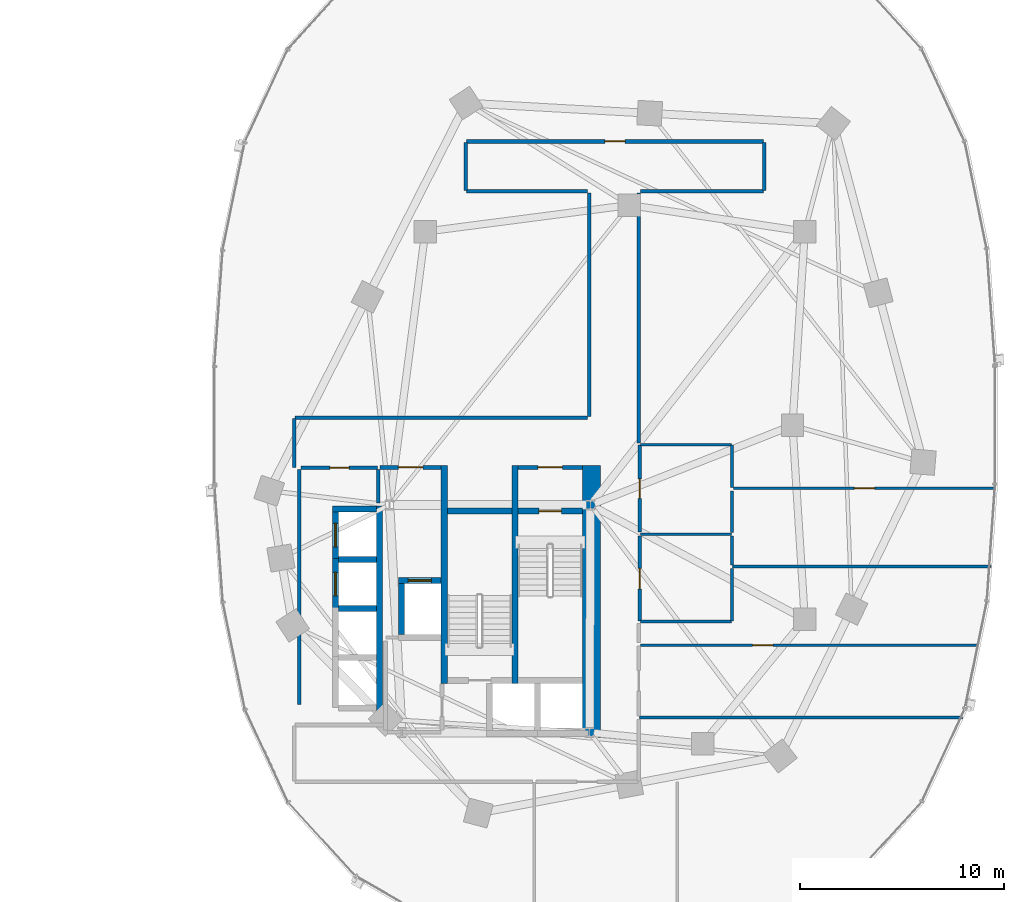
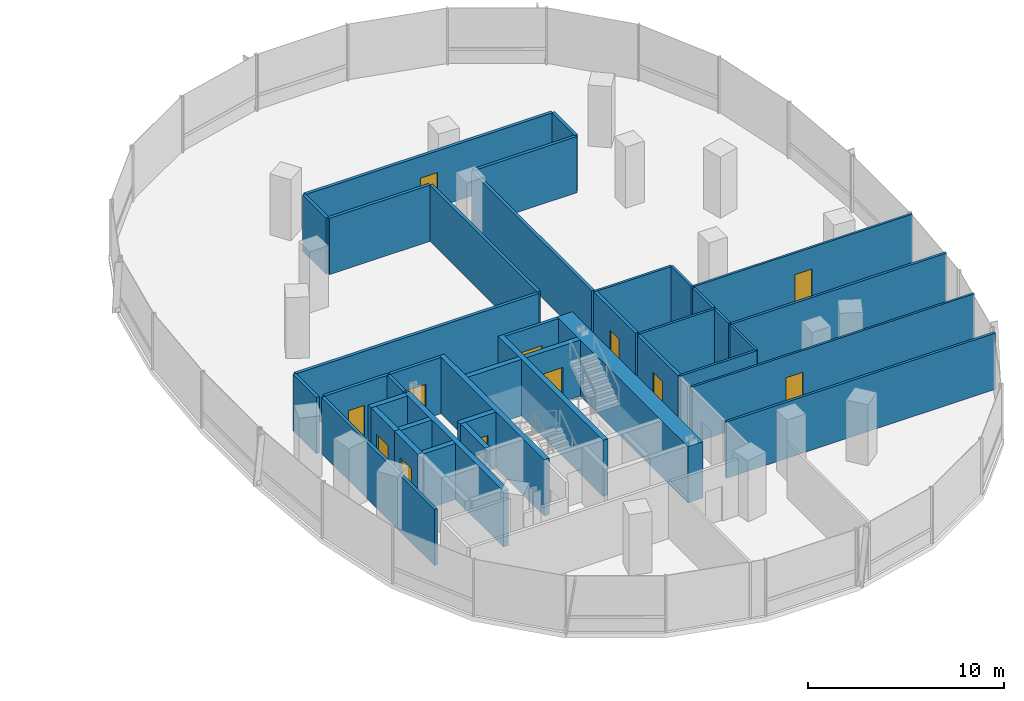
# One storey, part 13 of 21: 40 walls, 12 doors, 12 openings.
"""IFC4 building model written with IfcOpenShell, lengths in metres."""

from ifc_helpers import new_model, si_unit, direction, frame, frame_2d, origin, place, context, subcontext, project, spatial, rectangle, extrude, material, layer, layer_set, type_object, element, fill, save


model = new_model("IFC4")

# Units and contexts
model_context = context("Model", 3, precision=1e-05, world=origin(), true_north=direction((0.0, 1.0)))
body_context = subcontext(model_context, "Body", "Model", "MODEL_VIEW")
ifc_project = project(units=[si_unit("LENGTHUNIT", "METRE"), si_unit("AREAUNIT", "SQUARE_METRE"), si_unit("VOLUMEUNIT", "CUBIC_METRE"), si_unit("PLANEANGLEUNIT", "RADIAN"), si_unit("MASSUNIT", "GRAM", prefix="KILO"), si_unit("THERMODYNAMICTEMPERATUREUNIT", "KELVIN"), si_unit("POWERUNIT", "WATT")], contexts=[model_context])

# Site, building, storey
site_placement = place(None, origin())
site = spatial("IfcSite", under=ifc_project, at=site_placement, CompositionType="ELEMENT")
building_placement = place(site_placement, origin())
building = spatial("IfcBuilding", under=site, at=building_placement, Name="Cundina Bronze Exchange", CompositionType="ELEMENT")
storey_placement = place(building_placement, frame((0.0, 0.0, 31.60009765625)))
storey = spatial("IfcBuildingStorey", under=building, at=storey_placement, Name="L07", CompositionType="ELEMENT", Elevation=31.60009765625)

# Wall
ifc_material_1 = material(Name="Gypsum Fireboard Partition EI120")
ifc_layer_1 = layer(ifc_material_1, 0.179931640625, Name="Gypsum Fireboard Partition EI120")
ifc_layer_set_1 = layer_set([ifc_layer_1], Name="Gypsum Fireboard Partition EI120")
wall_type_1 = type_object("IfcWallType", Name="WL-COR-180", PredefinedType="PARTITIONING", material=ifc_layer_set_1)
wall_1_placement = place(storey_placement, frame((20.889892578125, -3.800048828125, 0.0), z_axis=(0.0, 0.0, 1.0), x_axis=(0.0, 1.0, 0.0)))
element("IfcWall", 1, at=wall_1_placement, inside=storey, type_object=wall_type_1, Name="L07 E Firefighting Lobby Side Wall", PredefinedType="PARTITIONING", context=body_context, shape_type="SweptSolid", body=[
    extrude(rectangle(XDim=1.650146484375, YDim=0.179931640625, at=frame_2d((0.8251953125, 0.0))), origin(), (0.0, 0.0, 1.0), 3.5),
])

# Wall, opening, door
wall_2_placement = place(storey_placement, frame((20.97998046875, -2.06005859375, 0.0), z_axis=(0.0, 0.0, 1.0), x_axis=(1.0, 0.0, 0.0)))
wall_2 = element("IfcWall", 2, at=wall_2_placement, inside=storey, type_object=wall_type_1, Name="L07 E Firefighting Lobby Exit Wall", PredefinedType="PARTITIONING", context=body_context, shape_type="SweptSolid", body=[
    extrude(rectangle(XDim=3.0, YDim=0.179931640625, at=frame_2d((1.5, 0.0))), origin(), (0.0, 0.0, 1.0), 3.5),
])
opening_1_placement = place(wall_2_placement, frame((0.89990234375, 0.0, 0.0)))
opening_1 = element("IfcOpeningElement", 3, at=opening_1_placement, cuts=wall_2, Name="Opening DF-01", PredefinedType="OPENING", context=body_context, shape_type="SweptSolid", body=[
    extrude(rectangle(XDim=1.199951171875, YDim=2.14990234375, at=frame_2d((0.60009765625, 1.074951171875))), frame((0.0, 0.099853515625, 0.0), z_axis=(0.0, -1.0, 0.0), x_axis=(1.0, 0.0, 0.0)), (0.0, 0.0, 1.0), 0.199951171875),
])
ifc_material_2 = material(Name="Steel ASTM A36 Painted", Category="steel")
door_type_1 = type_object("IfcDoorType", Name="DR-FFL-1200", OperationType="NOTDEFINED", PredefinedType="DOOR", material=ifc_material_2)
door_1_placement = place(opening_1_placement, origin())
door_1 = element("IfcDoor", 4, at=door_1_placement, inside=storey, type_object=door_type_1, Name="L07 E Firefighting Lobby Door", OperationType="SINGLE_SWING_LEFT", OverallHeight=2.14990234375, OverallWidth=1.199951171875, PredefinedType="DOOR", context=body_context, shape_type="SweptSolid", body=[
    extrude(rectangle(XDim=1.199951171875, YDim=2.14990234375, at=frame_2d((0.60009765625, 1.074951171875))), frame((0.0, 0.02490234375, 0.0), z_axis=(0.0, -1.0, 0.0), x_axis=(1.0, 0.0, 0.0)), (0.0, 0.0, 1.0), 0.050048828125),
])
fill(opening_1, door_1)

wall_3_placement = place(storey_placement, frame((27.739990234375, -2.06005859375, 0.0), z_axis=(0.0, 0.0, 1.0), x_axis=(1.0, 0.0, 0.0)))
wall_3 = element("IfcWall", 5, at=wall_3_placement, inside=storey, type_object=wall_type_1, Name="L07 E Stair Vestibule Exit Wall", PredefinedType="PARTITIONING", context=body_context, shape_type="SweptSolid", body=[
    extrude(rectangle(XDim=3.159912109375, YDim=0.179931640625, at=frame_2d((1.580078125, 0.0))), origin(), (0.0, 0.0, 1.0), 3.5),
])
opening_2_placement = place(wall_3_placement, frame((0.97998046875, 0.0, 0.0)))
opening_2 = element("IfcOpeningElement", 6, at=opening_2_placement, cuts=wall_3, Name="Opening DF-01", PredefinedType="OPENING", context=body_context, shape_type="SweptSolid", body=[
    extrude(rectangle(XDim=1.199951171875, YDim=2.14990234375, at=frame_2d((0.60009765625, 1.074951171875))), frame((0.0, 0.099853515625, 0.0), z_axis=(0.0, -1.0, 0.0), x_axis=(1.0, 0.0, 0.0)), (0.0, 0.0, 1.0), 0.199951171875),
])
door_2_placement = place(opening_2_placement, origin())
door_2 = element("IfcDoor", 7, at=door_2_placement, inside=storey, type_object=door_type_1, Name="L07 E Stair Vestibule Door", OperationType="SINGLE_SWING_RIGHT", OverallHeight=2.14990234375, OverallWidth=1.199951171875, PredefinedType="DOOR", context=body_context, shape_type="SweptSolid", body=[
    extrude(rectangle(XDim=1.199951171875, YDim=2.14990234375, at=frame_2d((0.60009765625, 1.074951171875))), frame((0.0, 0.02490234375, 0.0), z_axis=(0.0, -1.0, 0.0), x_axis=(1.0, 0.0, 0.0)), (0.0, 0.0, 1.0), 0.050048828125),
])
fill(opening_2, door_2)

# Wall
wall_4_placement = place(storey_placement, frame((17.02001953125, -13.679931640625, 0.0), z_axis=(0.0, 0.0, 1.0), x_axis=(0.0, 1.0, 0.0)))
element("IfcWall", 8, at=wall_4_placement, inside=storey, type_object=wall_type_1, Name="L07 Interior Partition 038", PredefinedType="PARTITIONING", context=body_context, shape_type="SweptSolid", body=[
    extrude(rectangle(XDim=11.510009765625, YDim=0.179931640625, at=frame_2d((5.7548828125, 0.0))), origin(), (0.0, 0.0, 1.0), 3.5),
])

# Wall, opening, door
wall_5_placement = place(storey_placement, frame((17.1201171875, -2.070068359375, 0.0), z_axis=(0.0, 0.0, 1.0), x_axis=(1.0, 0.0, 0.0)))
wall_5 = element("IfcWall", 9, at=wall_5_placement, inside=storey, type_object=wall_type_1, Name="L07 Interior Partition 039", PredefinedType="PARTITIONING", context=body_context, shape_type="SweptSolid", body=[
    extrude(rectangle(XDim=3.75, YDim=0.179931640625, at=frame_2d((1.875, 0.0))), origin(), (0.0, 0.0, 1.0), 3.5),
])
opening_3_placement = place(wall_5_placement, frame((1.39990234375, 0.0, 0.0)))
opening_3 = element("IfcOpeningElement", 10, at=opening_3_placement, cuts=wall_5, Name="Opening DW-01", PredefinedType="OPENING", context=body_context, shape_type="SweptSolid", body=[
    extrude(rectangle(XDim=0.949951171875, YDim=2.10009765625, at=frame_2d((0.47509765625, 1.050048828125))), frame((0.0, 0.099853515625, 0.0), z_axis=(0.0, -1.0, 0.0), x_axis=(1.0, 0.0, 0.0)), (0.0, 0.0, 1.0), 0.199951171875),
])
ifc_material_3 = material(Name="Solid Andean Oak Timber Grade A", Category="wood")
door_type_2 = type_object("IfcDoorType", Name="DR-WC-950", OperationType="NOTDEFINED", PredefinedType="DOOR", material=ifc_material_3)
door_3_placement = place(opening_3_placement, origin())
door_3 = element("IfcDoor", 11, at=door_3_placement, inside=storey, type_object=door_type_2, Name="L07 Interior Door 039", OperationType="SINGLE_SWING_RIGHT", OverallHeight=2.10009765625, OverallWidth=0.949951171875, PredefinedType="DOOR", context=body_context, shape_type="SweptSolid", body=[
    extrude(rectangle(XDim=0.949951171875, YDim=2.10009765625, at=frame_2d((0.47509765625, 1.050048828125))), frame((0.0, 0.02490234375, 0.0), z_axis=(0.0, -1.0, 0.0), x_axis=(1.0, 0.0, 0.0)), (0.0, 0.0, 1.0), 0.050048828125),
])
fill(opening_3, door_3)

wall_6_placement = place(storey_placement, frame((33.719970703125, -5.22998046875, 0.0), z_axis=(0.0, 0.0, 1.0), x_axis=(0.0, 1.0, 0.0)))
wall_6 = element("IfcWall", 12, at=wall_6_placement, inside=storey, type_object=wall_type_1, Name="L07 Interior Partition 051", PredefinedType="PARTITIONING", context=body_context, shape_type="SweptSolid", body=[
    extrude(rectangle(XDim=4.260009765625, YDim=0.179931640625, at=frame_2d((2.1298828125, 0.0))), origin(), (0.0, 0.0, 1.0), 3.5),
])
opening_4_placement = place(wall_6_placement, frame((1.655029296875, 0.0, 0.0)))
opening_4 = element("IfcOpeningElement", 13, at=opening_4_placement, cuts=wall_6, Name="Opening DW-01", PredefinedType="OPENING", context=body_context, shape_type="SweptSolid", body=[
    extrude(rectangle(XDim=0.949951171875, YDim=2.10009765625, at=frame_2d((0.47509765625, 1.050048828125))), frame((0.0, 0.099853515625, 0.0), z_axis=(0.0, -1.0, 0.0), x_axis=(1.0, 0.0, 0.0)), (0.0, 0.0, 1.0), 0.199951171875),
])
door_4_placement = place(opening_4_placement, origin())
door_4 = element("IfcDoor", 14, at=door_4_placement, inside=storey, type_object=door_type_2, Name="L07 Interior Door 051", OperationType="SINGLE_SWING_RIGHT", OverallHeight=2.10009765625, OverallWidth=0.949951171875, PredefinedType="DOOR", context=body_context, shape_type="SweptSolid", body=[
    extrude(rectangle(XDim=0.949951171875, YDim=2.10009765625, at=frame_2d((0.47509765625, 1.050048828125))), frame((0.0, 0.02490234375, 0.0), z_axis=(0.0, -1.0, 0.0), x_axis=(1.0, 0.0, 0.0)), (0.0, 0.0, 1.0), 0.050048828125),
])
fill(opening_4, door_4)

wall_7_placement = place(storey_placement, frame((33.719970703125, -9.590087890625, 0.0), z_axis=(0.0, 0.0, 1.0), x_axis=(0.0, 1.0, 0.0)))
wall_7 = element("IfcWall", 15, at=wall_7_placement, inside=storey, type_object=wall_type_1, Name="L07 Interior Partition 052", PredefinedType="PARTITIONING", context=body_context, shape_type="SweptSolid", body=[
    extrude(rectangle(XDim=4.16015625, YDim=0.179931640625, at=frame_2d((2.080078125, 0.0))), origin(), (0.0, 0.0, 1.0), 3.5),
])
opening_5_placement = place(wall_7_placement, frame((1.580078125, 0.0, 0.0)))
opening_5 = element("IfcOpeningElement", 16, at=opening_5_placement, cuts=wall_7, Name="Opening DO-01", PredefinedType="OPENING", context=body_context, shape_type="SweptSolid", body=[
    extrude(rectangle(XDim=1.0, YDim=2.14990234375, at=frame_2d((0.5, 1.074951171875))), frame((0.0, 0.099853515625, 0.0), z_axis=(0.0, -1.0, 0.0), x_axis=(1.0, 0.0, 0.0)), (0.0, 0.0, 1.0), 0.199951171875),
])
door_type_3 = type_object("IfcDoorType", Name="DR-OFF-1000", OperationType="NOTDEFINED", PredefinedType="DOOR", material=ifc_material_3)
door_5_placement = place(opening_5_placement, origin())
door_5 = element("IfcDoor", 17, at=door_5_placement, inside=storey, type_object=door_type_3, Name="L07 Interior Door 052", OperationType="SINGLE_SWING_RIGHT", OverallHeight=2.14990234375, OverallWidth=1.0, PredefinedType="DOOR", context=body_context, shape_type="SweptSolid", body=[
    extrude(rectangle(XDim=1.0, YDim=2.14990234375, at=frame_2d((0.5, 1.074951171875))), frame((0.0, 0.02490234375, 0.0), z_axis=(0.0, -1.0, 0.0), x_axis=(1.0, 0.0, 0.0)), (0.0, 0.0, 1.0), 0.050048828125),
])
fill(opening_5, door_5)

wall_8_placement = place(storey_placement, frame((39.778564453125, 13.919921875, 0.0), z_axis=(0.0, 0.0, 1.0), x_axis=(-1.0, 0.0, 0.0)))
wall_8 = element("IfcWall", 18, at=wall_8_placement, inside=storey, type_object=wall_type_1, Name="L07 Interior Partition 061", PredefinedType="PARTITIONING", context=body_context, shape_type="SweptSolid", body=[
    extrude(rectangle(XDim=14.55712890625, YDim=0.179931640625, at=frame_2d((7.278564453125, 0.0))), origin(), (0.0, 0.0, 1.0), 3.5),
])
opening_6_placement = place(wall_8_placement, frame((6.778564453125, 0.0, 0.0)))
opening_6 = element("IfcOpeningElement", 19, at=opening_6_placement, cuts=wall_8, Name="Opening DO-01", PredefinedType="OPENING", context=body_context, shape_type="SweptSolid", body=[
    extrude(rectangle(XDim=1.0, YDim=2.14990234375, at=frame_2d((0.5, 1.074951171875))), frame((0.0, 0.099853515625, 0.0), z_axis=(0.0, -1.0, 0.0), x_axis=(1.0, 0.0, 0.0)), (0.0, 0.0, 1.0), 0.199951171875),
])
door_6_placement = place(opening_6_placement, origin())
door_6 = element("IfcDoor", 20, at=door_6_placement, inside=storey, type_object=door_type_3, Name="L07 Interior Door 061", OperationType="SINGLE_SWING_LEFT", OverallHeight=2.14990234375, OverallWidth=1.0, PredefinedType="DOOR", context=body_context, shape_type="SweptSolid", body=[
    extrude(rectangle(XDim=1.0, YDim=2.14990234375, at=frame_2d((0.5, 1.074951171875))), frame((0.0, 0.02490234375, 0.0), z_axis=(0.0, -1.0, 0.0), x_axis=(1.0, 0.0, 0.0)), (0.0, 0.0, 1.0), 0.050048828125),
])
fill(opening_6, door_6)

# Walls
wall_9_placement = place(storey_placement, frame((31.14990234375, 0.3701171875, 0.0), z_axis=(0.0, 0.0, 1.0), x_axis=(-1.0, 0.0, 0.0)))
element("IfcWall", 21, at=wall_9_placement, inside=storey, type_object=wall_type_1, Name="L07 Interior Partition 062", PredefinedType="PARTITIONING", context=body_context, shape_type="SweptSolid", body=[
    extrude(rectangle(XDim=14.328369140625, YDim=0.179931640625, at=frame_2d((7.1640625, 0.0))), origin(), (0.0, 0.0, 1.0), 3.5),
])
wall_10_placement = place(storey_placement, frame((33.669921875, -0.858642578125, 0.0), z_axis=(0.0, 0.0, 1.0), x_axis=(0.0, 1.0, 0.0)))
element("IfcWall", 22, at=wall_10_placement, inside=storey, type_object=wall_type_1, Name="L07 Interior Partition 063", PredefinedType="PARTITIONING", context=body_context, shape_type="SweptSolid", body=[
    extrude(rectangle(XDim=12.258544921875, YDim=0.179931640625, at=frame_2d((6.12939453125, 0.0))), origin(), (0.0, 0.0, 1.0), 3.5),
])
wall_11_placement = place(storey_placement, frame((31.22998046875, 11.39990234375, 0.0), z_axis=(0.0, 0.0, 1.0), x_axis=(0.0, -1.0, 0.0)))
element("IfcWall", 23, at=wall_11_placement, inside=storey, type_object=wall_type_1, Name="L07 Interior Partition 065", PredefinedType="PARTITIONING", context=body_context, shape_type="SweptSolid", body=[
    extrude(rectangle(XDim=10.949951171875, YDim=0.179931640625, at=frame_2d((5.47509765625, 0.0))), origin(), (0.0, 0.0, 1.0), 3.5),
])
wall_12_placement = place(storey_placement, frame((33.75, 11.47998046875, 0.0), z_axis=(0.0, 0.0, 1.0), x_axis=(1.0, 0.0, 0.0)))
element("IfcWall", 24, at=wall_12_placement, inside=storey, type_object=wall_type_1, Name="L07 Interior Partition 066", PredefinedType="PARTITIONING", context=body_context, shape_type="SweptSolid", body=[
    extrude(rectangle(XDim=6.028564453125, YDim=0.179931640625, at=frame_2d((3.01416015625, 0.0))), origin(), (0.0, 0.0, 1.0), 3.5),
])
wall_13_placement = place(storey_placement, frame((25.221435546875, 11.47998046875, 0.0), z_axis=(0.0, 0.0, 1.0), x_axis=(1.0, 0.0, 0.0)))
element("IfcWall", 25, at=wall_13_placement, inside=storey, type_object=wall_type_1, Name="L07 Interior Partition 067", PredefinedType="PARTITIONING", context=body_context, shape_type="SweptSolid", body=[
    extrude(rectangle(XDim=5.928466796875, YDim=0.179931640625, at=frame_2d((2.96435546875, 0.0))), origin(), (0.0, 0.0, 1.0), 3.5),
])
wall_14_placement = place(storey_placement, frame((16.780029296875, 0.32861328125, 0.0), z_axis=(0.0, 0.0, 1.0), x_axis=(0.0, -1.0, 0.0)))
element("IfcWall", 26, at=wall_14_placement, inside=storey, type_object=wall_type_1, Name="L07 Interior Partition 070", PredefinedType="PARTITIONING", context=body_context, shape_type="SweptSolid", body=[
    extrude(rectangle(XDim=2.38720703125, YDim=0.179931640625, at=frame_2d((1.193603515625, 0.0))), origin(), (0.0, 0.0, 1.0), 3.5),
])
for number, where, z_axis, x_axis, name in (
    (27, (39.820068359375, 11.521484375, 0.0), (0.0, 0.0, 1.0), (0.0, 1.0, 0.0), "L07 Interior Partition 071"),
    (28, (25.179931640625, 13.87841796875, 0.0), (0.0, 0.0, 1.0), (0.0, -1.0, 0.0), "L07 Interior Partition 072"),
):
    element("IfcWall", number, at=place(storey_placement, frame(where, z_axis=z_axis, x_axis=x_axis)), inside=storey, type_object=wall_type_1, Name=name, PredefinedType="PARTITIONING", context=body_context, shape_type="SweptSolid", body=[
        extrude(rectangle(XDim=2.35693359375, YDim=0.179931640625, at=frame_2d((1.178466796875, 0.0))), origin(), (0.0, 0.0, 1.0), 3.5),
    ])
ifc_material_4 = material(Name="Concrete C60/75", Category="concrete")
ifc_layer_2 = layer(ifc_material_4, 0.89990234375, Name="Concrete C60/75", Category="concrete")
ifc_layer_set_2 = layer_set([ifc_layer_2], Name="Concrete C60/75")
wall_type_2 = type_object("IfcWallType", Name="WL-CORE-900", PredefinedType="SHEAR", material=ifc_layer_set_2)
wall_15_placement = place(storey_placement, frame((31.35009765625, -15.300048828125, 0.0), z_axis=(0.0, 0.0, 1.0), x_axis=(0.0, 1.0, 0.0)))
element("IfcWall", 29, at=wall_15_placement, inside=storey, type_object=wall_type_2, Name="L07 E Primary Core Shear Spine Wall", PredefinedType="SHEAR", context=body_context, shape_type="SweptSolid", body=[
    extrude(rectangle(XDim=13.330078125, YDim=0.89990234375, at=frame_2d((6.6650390625, 0.0))), origin(), (0.0, 0.0, 1.0), 3.5),
])

# Wall, opening, door
ifc_material_5 = material(Name="Gypsum Acoustic Partition EI60")
ifc_layer_3 = layer(ifc_material_5, 0.125, Name="Gypsum Acoustic Partition EI60")
ifc_layer_set_3 = layer_set([ifc_layer_3], Name="Gypsum Acoustic Partition EI60")
wall_type_3 = type_object("IfcWallType", Name="WL-OFF-125", PredefinedType="PARTITIONING", material=ifc_layer_set_3)
wall_16_placement = place(storey_placement, frame((50.3427734375, -10.77001953125, 0.0), z_axis=(0.0, 0.0, 1.0), x_axis=(-1.0, 0.0, 0.0)))
wall_16 = element("IfcWall", 30, at=wall_16_placement, inside=storey, type_object=wall_type_3, Name="L07 Interior Partition 073", PredefinedType="PARTITIONING", context=body_context, shape_type="SweptSolid", body=[
    extrude(rectangle(XDim=16.5927734375, YDim=0.125, at=frame_2d((8.29638671875, 0.0))), origin(), (0.0, 0.0, 1.0), 3.5),
])
opening_7_placement = place(wall_16_placement, frame((10.099365234375, 0.0, 0.0)))
opening_7 = element("IfcOpeningElement", 31, at=opening_7_placement, cuts=wall_16, Name="Opening DO-01", PredefinedType="OPENING", context=body_context, shape_type="SweptSolid", body=[
    extrude(rectangle(XDim=1.0, YDim=2.14990234375, at=frame_2d((0.5, 1.074951171875))), frame((0.0, 0.072509765625, 0.0), z_axis=(0.0, -1.0, 0.0), x_axis=(1.0, 0.0, 0.0)), (0.0, 0.0, 1.0), 0.14501953125),
])
door_7_placement = place(opening_7_placement, origin())
door_7 = element("IfcDoor", 32, at=door_7_placement, inside=storey, type_object=door_type_3, Name="L07 Interior Door 073", OperationType="SINGLE_SWING_RIGHT", OverallHeight=2.14990234375, OverallWidth=1.0, PredefinedType="DOOR", context=body_context, shape_type="SweptSolid", body=[
    extrude(rectangle(XDim=1.0, YDim=2.14990234375, at=frame_2d((0.5, 1.074951171875))), frame((0.0, 0.02490234375, 0.0), z_axis=(0.0, -1.0, 0.0), x_axis=(1.0, 0.0, 0.0)), (0.0, 0.0, 1.0), 0.050048828125),
])
fill(opening_7, door_7)

wall_17_placement = place(storey_placement, frame((38.320068359375, -3.070068359375, 0.0), z_axis=(0.0, 0.0, 1.0), x_axis=(1.0, 0.0, 0.0)))
wall_17 = element("IfcWall", 33, at=wall_17_placement, inside=storey, type_object=wall_type_3, Name="L07 Interior Partition 074", PredefinedType="PARTITIONING", context=body_context, shape_type="SweptSolid", body=[
    extrude(rectangle(XDim=12.819580078125, YDim=0.125, at=frame_2d((6.40966796875, 0.0))), origin(), (0.0, 0.0, 1.0), 3.5),
])
opening_8_placement = place(wall_17_placement, frame((5.909912109375, 0.0, 0.0)))
opening_8 = element("IfcOpeningElement", 34, at=opening_8_placement, cuts=wall_17, Name="Opening DO-01", PredefinedType="OPENING", context=body_context, shape_type="SweptSolid", body=[
    extrude(rectangle(XDim=1.0, YDim=2.14990234375, at=frame_2d((0.5, 1.074951171875))), frame((0.0, 0.072509765625, 0.0), z_axis=(0.0, -1.0, 0.0), x_axis=(1.0, 0.0, 0.0)), (0.0, 0.0, 1.0), 0.14501953125),
])
door_8_placement = place(opening_8_placement, origin())
door_8 = element("IfcDoor", 35, at=door_8_placement, inside=storey, type_object=door_type_3, Name="L07 Interior Door 074", OperationType="SINGLE_SWING_LEFT", OverallHeight=2.14990234375, OverallWidth=1.0, PredefinedType="DOOR", context=body_context, shape_type="SweptSolid", body=[
    extrude(rectangle(XDim=1.0, YDim=2.14990234375, at=frame_2d((0.5, 1.074951171875))), frame((0.0, 0.02490234375, 0.0), z_axis=(0.0, -1.0, 0.0), x_axis=(1.0, 0.0, 0.0)), (0.0, 0.0, 1.0), 0.050048828125),
])
fill(opening_8, door_8)

# Walls
ifc_material_6 = material(Name="Concrete C50/60", Category="concrete")
ifc_layer_4 = layer(ifc_material_6, 0.300048828125, Name="Concrete C50/60", Category="concrete")
ifc_layer_set_4 = layer_set([ifc_layer_4], Name="Concrete C50/60")
wall_type_4 = type_object("IfcWallType", Name="WL-SHFT-300", PredefinedType="SHEAR", material=ifc_layer_set_4)
for number, where, z_axis, x_axis, name in (
    (36, (27.590087890625, -12.64990234375, 0.0), (0.0, 0.0, 1.0), (0.0, 1.0, 0.0), "L07 E Stair Shaft Dividing Shear Wall"),
    (37, (24.1298828125, -12.64990234375, 0.0), (0.0, 0.0, 1.0), (0.0, 1.0, 0.0), "L07 E Stair 2 East Shear Wall"),
):
    element("IfcWall", number, at=place(storey_placement, frame(where, z_axis=z_axis, x_axis=x_axis)), inside=storey, type_object=wall_type_4, Name=name, PredefinedType="SHEAR", context=body_context, shape_type="SweptSolid", body=[
        extrude(rectangle(XDim=10.679931640625, YDim=0.300048828125, at=frame_2d((5.33984375, 0.0))), origin(), (0.0, 0.0, 1.0), 3.5),
    ])

# Wall, opening, door
wall_18_placement = place(storey_placement, frame((27.739990234375, -4.199951171875, 0.0), z_axis=(0.0, 0.0, 1.0), x_axis=(1.0, 0.0, 0.0)))
wall_18 = element("IfcWall", 38, at=wall_18_placement, inside=storey, type_object=wall_type_4, Name="L07 Stair E1 Landing Wall", PredefinedType="SHEAR", context=body_context, shape_type="SweptSolid", body=[
    extrude(rectangle(XDim=3.159912109375, YDim=0.300048828125, at=frame_2d((1.580078125, 0.0))), origin(), (0.0, 0.0, 1.0), 3.5),
])
opening_9_placement = place(wall_18_placement, frame((1.030029296875, 0.0, 0.0)))
opening_9 = element("IfcOpeningElement", 39, at=opening_9_placement, cuts=wall_18, Name="Opening DS-01", PredefinedType="OPENING", context=body_context, shape_type="SweptSolid", body=[
    extrude(rectangle(XDim=1.10009765625, YDim=2.14990234375, at=frame_2d((0.550048828125, 1.074951171875))), frame((0.0, 0.159912109375, 0.0), z_axis=(0.0, -1.0, 0.0), x_axis=(1.0, 0.0, 0.0)), (0.0, 0.0, 1.0), 0.320068359375),
])
door_type_4 = type_object("IfcDoorType", Name="DR-STR-1100", OperationType="NOTDEFINED", PredefinedType="DOOR", material=ifc_material_2)
door_9_placement = place(opening_9_placement, origin())
door_9 = element("IfcDoor", 40, at=door_9_placement, inside=storey, type_object=door_type_4, Name="L07 Smokeproof Stair E1 Door", OperationType="SINGLE_SWING_LEFT", OverallHeight=2.14990234375, OverallWidth=1.10009765625, PredefinedType="DOOR", context=body_context, shape_type="SweptSolid", body=[
    extrude(rectangle(XDim=1.10009765625, YDim=2.14990234375, at=frame_2d((0.550048828125, 1.074951171875))), frame((0.0, 0.02490234375, 0.0), z_axis=(0.0, -1.0, 0.0), x_axis=(1.0, 0.0, 0.0)), (0.0, 0.0, 1.0), 0.050048828125),
])
fill(opening_9, door_9)

# Wall
wall_19_placement = place(storey_placement, frame((24.280029296875, -4.199951171875, 0.0), z_axis=(0.0, 0.0, 1.0), x_axis=(1.0, 0.0, 0.0)))
element("IfcWall", 41, at=wall_19_placement, inside=storey, type_object=wall_type_4, Name="L07 Stair E2 Far Shaft Wall", PredefinedType="SHEAR", context=body_context, shape_type="SweptSolid", body=[
    extrude(rectangle(XDim=3.159912109375, YDim=0.300048828125, at=frame_2d((1.580078125, 0.0))), origin(), (0.0, 0.0, 1.0), 3.5),
])

# Wall, opening, door
wall_20_placement = place(storey_placement, frame((21.8798828125, -7.60009765625, 0.0), z_axis=(0.0, 0.0, 1.0), x_axis=(1.0, 0.0, 0.0)))
wall_20 = element("IfcWall", 42, at=wall_20_placement, inside=storey, type_object=wall_type_4, Name="L07 FFL-E Hoistway Front Wall", PredefinedType="SHEAR", context=body_context, shape_type="SweptSolid", body=[
    extrude(rectangle(XDim=2.10009765625, YDim=0.300048828125, at=frame_2d((1.050048828125, 0.0))), origin(), (0.0, 0.0, 1.0), 3.5),
])
opening_10_placement = place(wall_20_placement, frame((0.47509765625, 0.0, 0.0)))
opening_10 = element("IfcOpeningElement", 43, at=opening_10_placement, cuts=wall_20, Name="Opening LD-01", PredefinedType="OPENING", context=body_context, shape_type="SweptSolid", body=[
    extrude(rectangle(XDim=1.14990234375, YDim=2.199951171875, at=frame_2d((0.574951171875, 1.10009765625))), frame((0.0, 0.159912109375, 0.0), z_axis=(0.0, -1.0, 0.0), x_axis=(1.0, 0.0, 0.0)), (0.0, 0.0, 1.0), 0.320068359375),
])
door_type_5 = type_object("IfcDoorType", Name="DR-LND-1150", OperationType="NOTDEFINED", PredefinedType="TRAPDOOR", material=ifc_material_2)
door_10_placement = place(opening_10_placement, origin())
door_10 = element("IfcDoor", 44, at=door_10_placement, inside=storey, type_object=door_type_5, Name="L07 FFL-E Sliding Landing Door", OperationType="SLIDING_TO_LEFT", OverallHeight=2.199951171875, OverallWidth=1.14990234375, PredefinedType="TRAPDOOR", context=body_context, shape_type="SweptSolid", body=[
    extrude(rectangle(XDim=1.14990234375, YDim=2.199951171875, at=frame_2d((0.574951171875, 1.10009765625))), frame((0.0, 0.02490234375, 0.0), z_axis=(0.0, -1.0, 0.0), x_axis=(1.0, 0.0, 0.0)), (0.0, 0.0, 1.0), 0.050048828125),
])
fill(opening_10, door_10)

# Walls
wall_21_placement = place(storey_placement, frame((22.030029296875, -10.25, 0.0), z_axis=(0.0, 0.0, 1.0), x_axis=(0.0, 1.0, 0.0)))
element("IfcWall", 45, at=wall_21_placement, inside=storey, type_object=wall_type_4, Name="L07 FFL-E Hoistway Side Wall", PredefinedType="SHEAR", context=body_context, shape_type="SweptSolid", body=[
    extrude(rectangle(XDim=2.5, YDim=0.300048828125, at=frame_2d((1.25, 0.0))), origin(), (0.0, 0.0, 1.0), 3.5),
])
wall_22_placement = place(storey_placement, frame((20.949951171875, -14.0, 0.0), z_axis=(0.0, 0.0, 1.0), x_axis=(0.0, 1.0, 0.0)))
element("IfcWall", 46, at=wall_22_placement, inside=storey, type_object=wall_type_4, Name="L07 E Passenger Bank Hoistway Back Wall", PredefinedType="SHEAR", context=body_context, shape_type="SweptSolid", body=[
    extrude(rectangle(XDim=10.050048828125, YDim=0.300048828125, at=frame_2d((5.02490234375, 0.0))), origin(), (0.0, 0.0, 1.0), 3.5),
])
wall_23_placement = place(storey_placement, frame((18.64990234375, -4.10009765625, 0.0), z_axis=(0.0, 0.0, 1.0), x_axis=(1.0, 0.0, 0.0)))
element("IfcWall", 47, at=wall_23_placement, inside=storey, type_object=wall_type_4, Name="L07 E Passenger Bank North Cap Wall", PredefinedType="SHEAR", context=body_context, shape_type="SweptSolid", body=[
    extrude(rectangle(XDim=2.150146484375, YDim=0.300048828125, at=frame_2d((1.0751953125, 0.0))), origin(), (0.0, 0.0, 1.0), 3.5),
])
for number, where, z_axis, x_axis, name in (
    (48, (18.949951171875, -8.97509765625, 0.0), (0.0, 0.0, 1.0), (1.0, 0.0, 0.0), "L07 E Passenger Hoistway Divider 2"),
    (49, (18.949951171875, -6.574951171875, 0.0), (0.0, 0.0, 1.0), (1.0, 0.0, 0.0), "L07 E Passenger Hoistway Divider 3"),
):
    element("IfcWall", number, at=place(storey_placement, frame(where, z_axis=z_axis, x_axis=x_axis)), inside=storey, type_object=wall_type_4, Name=name, PredefinedType="SHEAR", context=body_context, shape_type="SweptSolid", body=[
        extrude(rectangle(XDim=1.85009765625, YDim=0.300048828125, at=frame_2d((0.925048828125, 0.0))), origin(), (0.0, 0.0, 1.0), 3.5),
    ])

# Wall, opening, door
wall_24_placement = place(storey_placement, frame((18.800048828125, -9.02001953125, 0.0), z_axis=(0.0, 0.0, 1.0), x_axis=(0.0, 1.0, 0.0)))
wall_24 = element("IfcWall", 50, at=wall_24_placement, inside=storey, type_object=wall_type_4, Name="L07 PL-E1 Hoistway Front Wall", PredefinedType="SHEAR", context=body_context, shape_type="SweptSolid", body=[
    extrude(rectangle(XDim=2.489990234375, YDim=0.300048828125, at=frame_2d((1.2451171875, 0.0))), origin(), (0.0, 0.0, 1.0), 3.5),
])
opening_11_placement = place(wall_24_placement, frame((0.669921875, 0.0, 0.0)))
opening_11 = element("IfcOpeningElement", 51, at=opening_11_placement, cuts=wall_24, Name="Opening LD-01", PredefinedType="OPENING", context=body_context, shape_type="SweptSolid", body=[
    extrude(rectangle(XDim=1.14990234375, YDim=2.199951171875, at=frame_2d((0.574951171875, 1.10009765625))), frame((0.0, 0.159912109375, 0.0), z_axis=(0.0, -1.0, 0.0), x_axis=(1.0, 0.0, 0.0)), (0.0, 0.0, 1.0), 0.320068359375),
])
door_11_placement = place(opening_11_placement, origin())
door_11 = element("IfcDoor", 52, at=door_11_placement, inside=storey, type_object=door_type_5, Name="L07 PL-E1 Sliding Landing Door", OperationType="SLIDING_TO_LEFT", OverallHeight=2.199951171875, OverallWidth=1.14990234375, PredefinedType="TRAPDOOR", context=body_context, shape_type="SweptSolid", body=[
    extrude(rectangle(XDim=1.14990234375, YDim=2.199951171875, at=frame_2d((0.574951171875, 1.10009765625))), frame((0.0, 0.02490234375, 0.0), z_axis=(0.0, -1.0, 0.0), x_axis=(1.0, 0.0, 0.0)), (0.0, 0.0, 1.0), 0.050048828125),
])
fill(opening_11, door_11)

wall_25_placement = place(storey_placement, frame((18.800048828125, -6.6201171875, 0.0), z_axis=(0.0, 0.0, 1.0), x_axis=(0.0, 1.0, 0.0)))
wall_25 = element("IfcWall", 53, at=wall_25_placement, inside=storey, type_object=wall_type_4, Name="L07 PL-E2 Hoistway Front Wall", PredefinedType="SHEAR", context=body_context, shape_type="SweptSolid", body=[
    extrude(rectangle(XDim=2.490234375, YDim=0.300048828125, at=frame_2d((1.2451171875, 0.0))), origin(), (0.0, 0.0, 1.0), 3.5),
])
opening_12_placement = place(wall_25_placement, frame((0.669921875, 0.0, 0.0)))
opening_12 = element("IfcOpeningElement", 54, at=opening_12_placement, cuts=wall_25, Name="Opening LD-01", PredefinedType="OPENING", context=body_context, shape_type="SweptSolid", body=[
    extrude(rectangle(XDim=1.14990234375, YDim=2.199951171875, at=frame_2d((0.574951171875, 1.10009765625))), frame((0.0, 0.159912109375, 0.0), z_axis=(0.0, -1.0, 0.0), x_axis=(1.0, 0.0, 0.0)), (0.0, 0.0, 1.0), 0.320068359375),
])
door_12_placement = place(opening_12_placement, origin())
door_12 = element("IfcDoor", 55, at=door_12_placement, inside=storey, type_object=door_type_5, Name="L07 PL-E2 Sliding Landing Door", OperationType="SLIDING_TO_LEFT", OverallHeight=2.199951171875, OverallWidth=1.14990234375, PredefinedType="TRAPDOOR", context=body_context, shape_type="SweptSolid", body=[
    extrude(rectangle(XDim=1.14990234375, YDim=2.199951171875, at=frame_2d((0.574951171875, 1.10009765625))), frame((0.0, 0.02490234375, 0.0), z_axis=(0.0, -1.0, 0.0), x_axis=(1.0, 0.0, 0.0)), (0.0, 0.0, 1.0), 0.050048828125),
])
fill(opening_12, door_12)

# Walls
ifc_layer_5 = layer(ifc_material_5, 0.14990234375, Name="Gypsum Acoustic Partition EI60")
ifc_layer_set_5 = layer_set([ifc_layer_5], Name="Gypsum Acoustic Partition EI60")
wall_type_5 = type_object("IfcWallType", Name="WL-TEN-150", PredefinedType="PARTITIONING", material=ifc_layer_set_5)
wall_26_placement = place(storey_placement, frame((38.27001953125, -6.919921875, 0.0), z_axis=(0.0, 0.0, 1.0), x_axis=(1.0, 0.0, 0.0)))
element("IfcWall", 56, at=wall_26_placement, inside=storey, type_object=wall_type_5, Name="L07 Interior Partition 053", PredefinedType="PARTITIONING", context=body_context, shape_type="SweptSolid", body=[
    extrude(rectangle(XDim=12.656982421875, YDim=0.14990234375, at=frame_2d((6.32861328125, 0.0))), origin(), (0.0, 0.0, 1.0), 3.5),
])
wall_27_placement = place(storey_placement, frame((33.699951171875, -14.320068359375, 0.0), z_axis=(0.0, 0.0, 1.0), x_axis=(1.0, 0.0, 0.0)))
element("IfcWall", 57, at=wall_27_placement, inside=storey, type_object=wall_type_5, Name="L07 Interior Partition 054", PredefinedType="PARTITIONING", context=body_context, shape_type="SweptSolid", body=[
    extrude(rectangle(XDim=15.838134765625, YDim=0.14990234375, at=frame_2d((7.9189453125, 0.0))), origin(), (0.0, 0.0, 1.0), 3.5),
])
ifc_material_7 = material(Name="Moisture-Resistant Masonry Block Grade M15", Category="masonry")
ifc_layer_6 = layer(ifc_material_7, 0.139892578125, Name="Moisture-Resistant Masonry Block Grade M15", Category="masonry")
ifc_layer_set_6 = layer_set([ifc_layer_6], Name="Moisture-Resistant Masonry Block Grade M15")
wall_type_6 = type_object("IfcWallType", Name="WL-WET-140", PredefinedType="PARTITIONING", material=ifc_layer_set_6)
wall_28_placement = place(storey_placement, frame((38.239990234375, -9.590087890625, 0.0), z_axis=(0.0, 0.0, 1.0), x_axis=(0.0, 1.0, 0.0)))
element("IfcWall", 58, at=wall_28_placement, inside=storey, type_object=wall_type_6, Name="L07 Interior Partition 044", PredefinedType="PARTITIONING", context=body_context, shape_type="SweptSolid", body=[
    extrude(rectangle(XDim=2.585205078125, YDim=0.139892578125, at=frame_2d((1.29248046875, 0.0))), origin(), (0.0, 0.0, 1.0), 3.5),
])
wall_29_placement = place(storey_placement, frame((38.239990234375, -6.8349609375, 0.0), z_axis=(0.0, 0.0, 1.0), x_axis=(0.0, 1.0, 0.0)))
element("IfcWall", 59, at=wall_29_placement, inside=storey, type_object=wall_type_6, Name="L07 Interior Partition 045", PredefinedType="PARTITIONING", context=body_context, shape_type="SweptSolid", body=[
    extrude(rectangle(XDim=1.419921875, YDim=0.139892578125, at=frame_2d((0.7099609375, 0.0))), origin(), (0.0, 0.0, 1.0), 3.5),
])
wall_30_placement = place(storey_placement, frame((38.239990234375, -5.2451171875, 0.0), z_axis=(0.0, 0.0, 1.0), x_axis=(0.0, 1.0, 0.0)))
element("IfcWall", 60, at=wall_30_placement, inside=storey, type_object=wall_type_6, Name="L07 Interior Partition 046", PredefinedType="PARTITIONING", context=body_context, shape_type="SweptSolid", body=[
    extrude(rectangle(XDim=2.0400390625, YDim=0.139892578125, at=frame_2d((1.02001953125, 0.0))), origin(), (0.0, 0.0, 1.0), 3.5),
])
wall_31_placement = place(storey_placement, frame((38.239990234375, -3.034912109375, 0.0), z_axis=(0.0, 0.0, 1.0), x_axis=(0.0, 1.0, 0.0)))
element("IfcWall", 61, at=wall_31_placement, inside=storey, type_object=wall_type_6, Name="L07 Interior Partition 047", PredefinedType="PARTITIONING", context=body_context, shape_type="SweptSolid", body=[
    extrude(rectangle(XDim=2.06494140625, YDim=0.139892578125, at=frame_2d((1.032470703125, 0.0))), origin(), (0.0, 0.0, 1.0), 3.5),
])
for number, where, z_axis, x_axis, name in (
    (62, (33.739990234375, -0.949951171875, 0.0), (0.0, 0.0, 1.0), (1.0, 0.0, 0.0), "L07 Interior Partition 048"),
    (63, (33.739990234375, -5.330078125, 0.0), (0.0, 0.0, 1.0), (1.0, 0.0, 0.0), "L07 Interior Partition 049"),
    (64, (33.739990234375, -9.610107421875, 0.0), (0.0, 0.0, 1.0), (1.0, 0.0, 0.0), "L07 Interior Partition 050"),
):
    element("IfcWall", number, at=place(storey_placement, frame(where, z_axis=z_axis, x_axis=x_axis)), inside=storey, type_object=wall_type_6, Name=name, PredefinedType="PARTITIONING", context=body_context, shape_type="SweptSolid", body=[
        extrude(rectangle(XDim=4.47998046875, YDim=0.139892578125, at=frame_2d((2.239990234375, 0.0))), origin(), (0.0, 0.0, 1.0), 3.5),
    ])

save(model, "model.ifc")
